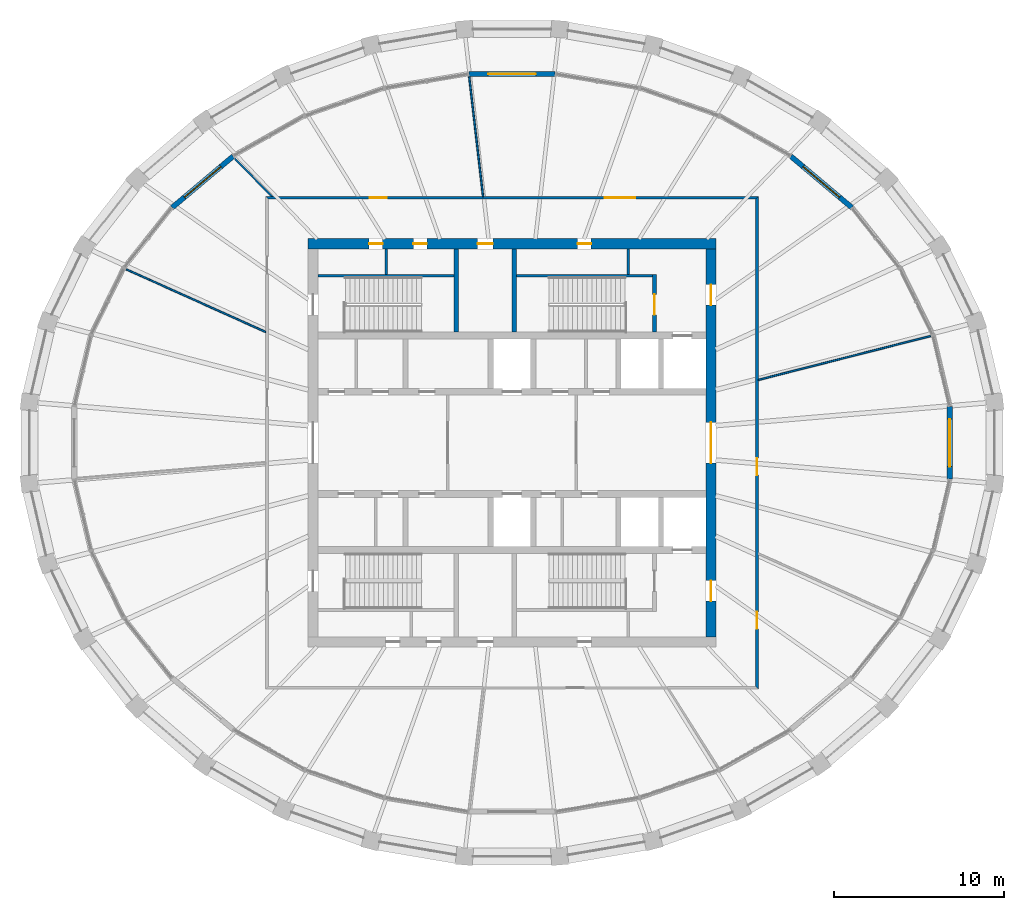
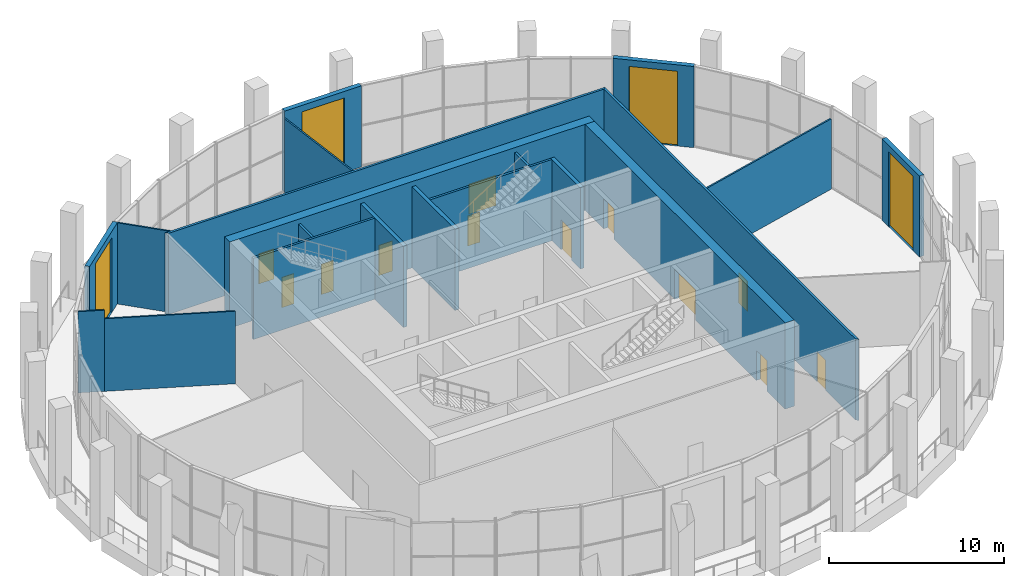
# One storey, part 12 of 15: 20 walls, 16 doors, 16 openings.
"""IFC4 building model written with IfcOpenShell, lengths in metres."""

from ifc_helpers import new_model, si_unit, direction, frame, frame_2d, origin, place, context, subcontext, project, spatial, polyline, rectangle, outline, extrude, material, layer, layer_set, type_object, element, fill, save


model = new_model("IFC4")

# Units and contexts
model_context = context("Model", 3, precision=1e-05, world=origin(), true_north=direction((0.0, 1.0)))
body_context = subcontext(model_context, "Body", "Model", "MODEL_VIEW")
ifc_project = project(units=[si_unit("LENGTHUNIT", "METRE"), si_unit("AREAUNIT", "SQUARE_METRE"), si_unit("VOLUMEUNIT", "CUBIC_METRE"), si_unit("PLANEANGLEUNIT", "RADIAN"), si_unit("MASSUNIT", "GRAM", prefix="KILO")], contexts=[model_context])

# Site, building, storey
site_placement = place(None, origin())
site = spatial("IfcSite", under=ifc_project, at=site_placement, CompositionType="ELEMENT")
building_placement = place(site_placement, origin())
building = spatial("IfcBuilding", under=site, at=building_placement, Name="Halqa Exchange Tower", CompositionType="ELEMENT")
storey_placement = place(building_placement, frame((0.0, 0.0, 343.300048828125)))
storey = spatial("IfcBuildingStorey", under=building, at=storey_placement, Name="L80", CompositionType="ELEMENT", Elevation=343.300048828125)

# Wall, openings, doors
ifc_material_1 = material(Name="Fire-rated gypsum board")
ifc_layer_1 = layer(ifc_material_1, 0.14990234375)
ifc_layer_set_1 = layer_set([ifc_layer_1], Name="Fire-rated gypsum board")
wall_type_1 = type_object("IfcWallType", Name="Fire partition EI 60 150", PredefinedType="PARTITIONING", material=ifc_layer_set_1)
wall_1_placement = place(storey_placement, frame((-14.47509765625, 14.39990234375, 0.0), z_axis=(0.0, 0.0, 1.0), x_axis=(1.0, 0.0, 0.0)))
wall_1 = element("IfcWall", 1, at=wall_1_placement, inside=storey, type_object=wall_type_1, Name="L80-PWL-004", PredefinedType="PARTITIONING", context=body_context, shape_type="SweptSolid", body=[
    extrude(outline(polyline([(0.150146484375, -0.074951171875), (2.06005859375, -0.074951171875), (3.97021484375, -0.074951171875), (5.880126953125, -0.074951171875), (7.7900390625, -0.074951171875), (9.7001953125, -0.074951171875), (11.610107421875, -0.074951171875), (13.52001953125, -0.074951171875), (15.43017578125, -0.074951171875), (17.340087890625, -0.074951171875), (19.25, -0.074951171875), (21.16015625, -0.074951171875), (23.070068359375, -0.074951171875), (24.97998046875, -0.074951171875), (26.89013671875, -0.074951171875), (28.800048828125, -0.074951171875), (28.949951171875, 0.074951171875), (27.02001953125, 0.074951171875), (25.090087890625, 0.074951171875), (23.159912109375, 0.074951171875), (21.22998046875, 0.074951171875), (19.300048828125, 0.074951171875), (17.3701171875, 0.074951171875), (15.440185546875, 0.074951171875), (13.510009765625, 0.074951171875), (11.580078125, 0.074951171875), (9.650146484375, 0.074951171875), (7.72021484375, 0.074951171875), (5.790283203125, 0.074951171875), (3.860107421875, 0.074951171875), (1.93017578125, 0.074951171875), (0.000244140625, 0.074951171875), (0.150146484375, -0.074951171875)])), origin(), (0.0, 0.0, 1.0), 5.64990234375),
])
opening_1_placement = place(wall_1_placement, frame((19.929931640625, 0.0, 0.0)))
opening_1 = element("IfcOpeningElement", 2, at=opening_1_placement, cuts=wall_1, Name="Opening L80-01", PredefinedType="OPENING", context=body_context, shape_type="SweptSolid", body=[
    extrude(rectangle(XDim=1.800048828125, YDim=2.10009765625, at=frame_2d((0.89990234375, 1.050048828125))), frame((0.0, 0.0869140625, 0.0), z_axis=(0.0, -1.0, 0.0), x_axis=(1.0, 0.0, 0.0)), (0.0, 0.0, 1.0), 0.173828125),
])
opening_2_placement = place(wall_1_placement, frame((6.110107421875, 0.0, 0.0)))
opening_2 = element("IfcOpeningElement", 3, at=opening_2_placement, cuts=wall_1, Name="Opening L80-02", PredefinedType="OPENING", context=body_context, shape_type="SweptSolid", body=[
    extrude(rectangle(XDim=1.0, YDim=2.10009765625, at=frame_2d((0.5, 1.050048828125))), frame((0.0, 0.0869140625, 0.0), z_axis=(0.0, -1.0, 0.0), x_axis=(1.0, 0.0, 0.0)), (0.0, 0.0, 1.0), 0.173828125),
])
ifc_material_2 = material(Name="Steel fire door leaf", Category="steel")
door_type_1 = type_object("IfcDoorType", Name="Fire door FD30S 1000 x 2100", OperationType="SINGLE_SWING_LEFT", PredefinedType="DOOR", material=ifc_material_2)
door_1_placement = place(opening_2_placement, origin())
door_1 = element("IfcDoor", 4, at=door_1_placement, inside=storey, type_object=door_type_1, Name="L80-IDR-002", OperationType="SINGLE_SWING_RIGHT", OverallHeight=2.10009765625, OverallWidth=1.0, PredefinedType="DOOR", context=body_context, shape_type="SweptSolid", body=[
    extrude(rectangle(XDim=1.0, YDim=2.10009765625, at=frame_2d((0.5, 1.050048828125))), frame((0.0, 0.02490234375, 0.0), z_axis=(0.0, -1.0, 0.0), x_axis=(1.0, 0.0, 0.0)), (0.0, 0.0, 1.0), 0.050048828125),
])
fill(opening_2, door_1)
door_type_2 = type_object("IfcDoorType", Name="Fire door FD30S double 1800 x 2100", OperationType="DOUBLE_DOOR_SINGLE_SWING", PredefinedType="DOOR", material=ifc_material_2)
door_2_placement = place(opening_1_placement, origin())
door_2 = element("IfcDoor", 5, at=door_2_placement, inside=storey, type_object=door_type_2, Name="L80-IDR-001", OperationType="DOUBLE_DOOR_SINGLE_SWING", OverallHeight=2.10009765625, OverallWidth=1.800048828125, PredefinedType="DOOR", context=body_context, shape_type="SweptSolid", body=[
    extrude(rectangle(XDim=1.800048828125, YDim=2.10009765625, at=frame_2d((0.89990234375, 1.050048828125))), frame((0.0, 0.02490234375, 0.0), z_axis=(0.0, -1.0, 0.0), x_axis=(1.0, 0.0, 0.0)), (0.0, 0.0, 1.0), 0.050048828125),
])
fill(opening_1, door_2)

wall_2_placement = place(storey_placement, frame((14.39990234375, -14.47509765625, 0.0), z_axis=(0.0, 0.0, 1.0), x_axis=(0.0, 1.0, 0.0)))
wall_2 = element("IfcWall", 6, at=wall_2_placement, inside=storey, type_object=wall_type_1, Name="L80-PWL-012", PredefinedType="PARTITIONING", context=body_context, shape_type="SweptSolid", body=[
    extrude(outline(polyline([(0.000244140625, -0.074951171875), (1.93017578125, -0.074951171875), (3.860107421875, -0.074951171875), (5.790283203125, -0.074951171875), (7.72021484375, -0.074951171875), (9.650146484375, -0.074951171875), (11.580078125, -0.074951171875), (13.510009765625, -0.074951171875), (15.440185546875, -0.074951171875), (17.3701171875, -0.074951171875), (19.300048828125, -0.074951171875), (21.22998046875, -0.074951171875), (23.159912109375, -0.074951171875), (25.090087890625, -0.074951171875), (27.02001953125, -0.074951171875), (28.949951171875, -0.074951171875), (28.800048828125, 0.074951171875), (26.89013671875, 0.074951171875), (24.97998046875, 0.074951171875), (23.070068359375, 0.074951171875), (21.16015625, 0.074951171875), (19.25, 0.074951171875), (17.340087890625, 0.074951171875), (15.43017578125, 0.074951171875), (13.52001953125, 0.074951171875), (11.610107421875, 0.074951171875), (9.7001953125, 0.074951171875), (7.7900390625, 0.074951171875), (5.880126953125, 0.074951171875), (3.97021484375, 0.074951171875), (2.06005859375, 0.074951171875), (0.150146484375, 0.074951171875), (0.000244140625, -0.074951171875)])), origin(), (0.0, 0.0, 1.0), 5.64990234375),
])
opening_3_placement = place(wall_2_placement, frame((3.534912109375, 0.0, 0.0)))
opening_3 = element("IfcOpeningElement", 7, at=opening_3_placement, cuts=wall_2, Name="Opening L80-07", PredefinedType="OPENING", context=body_context, shape_type="SweptSolid", body=[
    extrude(rectangle(XDim=1.0, YDim=2.10009765625, at=frame_2d((0.5, 1.050048828125))), frame((0.0, 0.0869140625, 0.0), z_axis=(0.0, -1.0, 0.0), x_axis=(1.0, 0.0, 0.0)), (0.0, 0.0, 1.0), 0.173828125),
])
opening_4_placement = place(wall_2_placement, frame((12.574951171875, 0.0, 0.0)))
opening_4 = element("IfcOpeningElement", 8, at=opening_4_placement, cuts=wall_2, Name="Opening L80-08", PredefinedType="OPENING", context=body_context, shape_type="SweptSolid", body=[
    extrude(rectangle(XDim=1.0, YDim=2.10009765625, at=frame_2d((0.5, 1.050048828125))), frame((0.0, 0.0869140625, 0.0), z_axis=(0.0, -1.0, 0.0), x_axis=(1.0, 0.0, 0.0)), (0.0, 0.0, 1.0), 0.173828125),
])
door_3_placement = place(opening_3_placement, frame((1.0, 0.0, 0.0), z_axis=(0.0, 0.0, 1.0), x_axis=(-1.0, 0.0, 0.0)))
door_3 = element("IfcDoor", 9, at=door_3_placement, inside=storey, type_object=door_type_1, Name="L80-IDR-007", OperationType="SINGLE_SWING_RIGHT", OverallHeight=2.10009765625, OverallWidth=1.0, PredefinedType="DOOR", context=body_context, shape_type="SweptSolid", body=[
    extrude(rectangle(XDim=1.0, YDim=2.10009765625, at=frame_2d((0.5, 1.050048828125))), frame((0.0, 0.02490234375, 0.0), z_axis=(0.0, -1.0, 0.0), x_axis=(1.0, 0.0, 0.0)), (0.0, 0.0, 1.0), 0.050048828125),
])
fill(opening_3, door_3)
door_4_placement = place(opening_4_placement, frame((1.0, 0.0, 0.0), z_axis=(0.0, 0.0, 1.0), x_axis=(-1.0, 0.0, 0.0)))
door_4 = element("IfcDoor", 10, at=door_4_placement, inside=storey, type_object=door_type_1, Name="L80-IDR-008", OperationType="SINGLE_SWING_LEFT", OverallHeight=2.10009765625, OverallWidth=1.0, PredefinedType="DOOR", context=body_context, shape_type="SweptSolid", body=[
    extrude(rectangle(XDim=1.0, YDim=2.10009765625, at=frame_2d((0.5, 1.050048828125))), frame((0.0, 0.02490234375, 0.0), z_axis=(0.0, -1.0, 0.0), x_axis=(1.0, 0.0, 0.0)), (0.0, 0.0, 1.0), 0.050048828125),
])
fill(opening_4, door_4)

# Walls
ifc_material_3 = material(Name="Gypsum board")
ifc_layer_2 = layer(ifc_material_3, 0.10009765625)
ifc_layer_set_2 = layer_set([ifc_layer_2], Name="Gypsum board")
wall_type_2 = type_object("IfcWallType", Name="Partition 100 gypsum", PredefinedType="PARTITIONING", material=ifc_layer_set_2)
wall_3_placement = place(storey_placement, frame((-14.45458984375, 6.504638671875, 0.0), z_axis=(0.0, 0.0, 1.0), x_axis=(-0.912053465354, 0.410071306403, 0.0)))
element("IfcWall", 11, at=wall_3_placement, inside=storey, type_object=wall_type_2, Name="L80-PWL-003", PredefinedType="PARTITIONING", context=body_context, shape_type="SweptSolid", body=[
    extrude(outline(polyline([(0.0, 0.050048828125), (0.0, 0.0498046875), (0.044921875, -0.050048828125), (1.910888671875, -0.050048828125), (3.777099609375, -0.050048828125), (5.64306640625, -0.050048828125), (7.50927734375, -0.050048828125), (7.50927734375, 0.050048828125), (5.6318359375, 0.050048828125), (3.754638671875, 0.050048828125), (1.87744140625, 0.050048828125), (0.0, 0.050048828125)])), origin(), (0.0, 0.0, 1.0), 5.050048828125),
])
wall_4_placement = place(storey_placement, frame((-14.07958984375, 14.4404296875, 0.0), z_axis=(0.0, 0.0, 1.0), x_axis=(-0.698582739951, 0.715529283428, 0.0)))
element("IfcWall", 12, at=wall_4_placement, inside=storey, type_object=wall_type_2, Name="L80-PWL-005", PredefinedType="PARTITIONING", context=body_context, shape_type="SweptSolid", body=[
    extrude(outline(polyline([(3.16943359375, 0.050048828125), (1.63330078125, 0.050048828125), (0.09716796875, 0.050048828125), (0.0, -0.049560546875), (0.0, -0.050048828125), (1.584716796875, -0.050048828125), (3.16943359375, -0.050048828125), (3.16943359375, 0.050048828125)])), origin(), (0.0, 0.0, 1.0), 5.64990234375),
])
wall_5_placement = place(storey_placement, frame((-1.697998046875, 14.469482421875, 0.0), z_axis=(0.0, 0.0, 1.0), x_axis=(-0.11512134749, 0.993351435974, 0.0)))
element("IfcWall", 13, at=wall_5_placement, inside=storey, type_object=wall_type_2, Name="L80-PWL-008", PredefinedType="PARTITIONING", context=body_context, shape_type="SweptSolid", body=[
    extrude(outline(polyline([(0.0, -0.050048828125), (1.774169921875, -0.050048828125), (3.54833984375, -0.050048828125), (5.322265625, -0.050048828125), (7.096435546875, -0.050048828125), (7.10009765625, -0.0185546875), (7.10009765625, 0.050048828125), (5.327880859375, 0.050048828125), (3.5556640625, 0.050048828125), (1.783447265625, 0.050048828125), (0.011474609375, 0.050048828125), (0.0, -0.0478515625), (0.0, -0.050048828125)])), origin(), (0.0, 0.0, 1.0), 5.14990234375),
])
wall_6_placement = place(storey_placement, frame((24.59326171875, 6.2744140625, 0.0), z_axis=(0.0, 0.0, 1.0), x_axis=(-0.969103365917, -0.246654953667, 0.0)))
element("IfcWall", 14, at=wall_6_placement, inside=storey, type_object=wall_type_2, Name="L80-PWL-014", PredefinedType="PARTITIONING", context=body_context, shape_type="SweptSolid", body=[
    extrude(outline(polyline([(0.008544921875, -0.050048828125), (1.7451171875, -0.050048828125), (3.481689453125, -0.050048828125), (5.21826171875, -0.050048828125), (6.954833984375, -0.050048828125), (8.69140625, -0.050048828125), (10.42822265625, -0.050048828125), (10.453369140625, 0.049072265625), (10.453369140625, 0.050048828125), (8.711181640625, 0.050048828125), (6.968994140625, 0.050048828125), (5.2265625, 0.050048828125), (3.484375, 0.050048828125), (1.7421875, 0.050048828125), (0.0, 0.050048828125), (0.0, -0.00927734375), (0.008544921875, -0.050048828125)])), origin(), (0.0, 0.0, 1.0), 4.89697265625),
])
wall_7_placement = place(storey_placement, frame((-21.303466796875, 9.583984375, 0.0), z_axis=(0.0, 0.0, 1.0), x_axis=(-0.911976522447, 0.410242394816, 0.0)))
element("IfcWall", 15, at=wall_7_placement, inside=storey, type_object=wall_type_2, Name="L80-PWL-015", PredefinedType="PARTITIONING", context=body_context, shape_type="SweptSolid", body=[
    extrude(outline(polyline([(0.0, -0.050048828125), (1.480224609375, -0.050048828125), (1.492919921875, 0.000732421875), (1.494384765625, 0.040771484375), (1.494384765625, 0.050048828125), (0.0, 0.050048828125), (0.0, -0.050048828125)])), origin(), (0.0, 0.0, 1.0), 5.64990234375),
])
ifc_layer_3 = layer(ifc_material_3, 0.14990234375)
ifc_layer_set_3 = layer_set([ifc_layer_3], Name="Gypsum board")
wall_type_3 = type_object("IfcWallType", Name="Penthouse riser wall 150 gypsum", PredefinedType="PARTITIONING", material=ifc_layer_set_3)
for number, where, z_axis, x_axis, name in (
    (16, (-7.39990234375, 9.89990234375, 0.0), (0.0, 0.0, 1.0), (0.0, 1.0, 0.0), "Partition W7.400 N"),
    (17, (6.824951171875, 9.89990234375, 0.0), (0.0, 0.0, 1.0), (0.0, 1.0, 0.0), "Firefighting lobby west wall N"),
):
    element("IfcWall", number, at=place(storey_placement, frame(where, z_axis=z_axis, x_axis=x_axis)), inside=storey, type_object=wall_type_3, Name=name, PredefinedType="PARTITIONING", context=body_context, shape_type="SweptSolid", body=[
        extrude(rectangle(XDim=1.5, YDim=0.14990234375, at=frame_2d((0.75, 0.0))), origin(), (0.0, 0.0, 1.0), 5.64990234375),
    ])

# Wall, openings, doors
ifc_material_4 = material(Name="Concrete C60/75", Category="concrete")
ifc_layer_4 = layer(ifc_material_4, 0.60009765625)
ifc_layer_set_4 = layer_set([ifc_layer_4], Name="Concrete C60/75")
wall_type_4 = type_object("IfcWallType", Name="RC core wall 600 C60/75", PredefinedType="SHEAR", material=ifc_layer_set_4)
wall_8_placement = place(storey_placement, frame((-12.0, 11.699951171875, 0.0), z_axis=(0.0, 0.0, 1.0), x_axis=(1.0, 0.0, 0.0)))
wall_8 = element("IfcWall", 18, at=wall_8_placement, inside=storey, type_object=wall_type_4, Name="Core wall north", PredefinedType="SHEAR", context=body_context, shape_type="SweptSolid", body=[
    extrude(rectangle(XDim=24.0, YDim=0.60009765625, at=frame_2d((12.0, 0.0))), origin(), (0.0, 0.0, 1.0), 6.0),
])
opening_5_placement = place(wall_8_placement, frame((9.97509765625, 0.0, 0.0)))
opening_5 = element("IfcOpeningElement", 19, at=opening_5_placement, cuts=wall_8, Name="Opening L80-C15", PredefinedType="OPENING", context=body_context, shape_type="SweptSolid", body=[
    extrude(rectangle(XDim=0.89990234375, YDim=2.10009765625, at=frame_2d((0.449951171875, 1.050048828125))), frame((0.0, 0.31201171875, 0.0), z_axis=(0.0, -1.0, 0.0), x_axis=(1.0, 0.0, 0.0)), (0.0, 0.0, 1.0), 0.6240234375),
])
opening_6_placement = place(wall_8_placement, frame((3.60009765625, 0.0, 0.0)))
opening_6 = element("IfcOpeningElement", 20, at=opening_6_placement, cuts=wall_8, Name="Opening L80-C16", PredefinedType="OPENING", context=body_context, shape_type="SweptSolid", body=[
    extrude(rectangle(XDim=0.800048828125, YDim=2.10009765625, at=frame_2d((0.39990234375, 1.050048828125))), frame((0.0, 0.31201171875, 0.0), z_axis=(0.0, -1.0, 0.0), x_axis=(1.0, 0.0, 0.0)), (0.0, 0.0, 1.0), 0.6240234375),
])
opening_7_placement = place(wall_8_placement, frame((6.199951171875, 0.0, 0.0)))
opening_7 = element("IfcOpeningElement", 21, at=opening_7_placement, cuts=wall_8, Name="Opening L80-C17", PredefinedType="OPENING", context=body_context, shape_type="SweptSolid", body=[
    extrude(rectangle(XDim=0.800048828125, YDim=2.10009765625, at=frame_2d((0.39990234375, 1.050048828125))), frame((0.0, 0.31201171875, 0.0), z_axis=(0.0, -1.0, 0.0), x_axis=(1.0, 0.0, 0.0)), (0.0, 0.0, 1.0), 0.6240234375),
])
opening_8_placement = place(wall_8_placement, frame((15.85009765625, 0.0, 0.0)))
opening_8 = element("IfcOpeningElement", 22, at=opening_8_placement, cuts=wall_8, Name="Opening L80-C18", PredefinedType="OPENING", context=body_context, shape_type="SweptSolid", body=[
    extrude(rectangle(XDim=0.800048828125, YDim=2.10009765625, at=frame_2d((0.39990234375, 1.050048828125))), frame((0.0, 0.31201171875, 0.0), z_axis=(0.0, -1.0, 0.0), x_axis=(1.0, 0.0, 0.0)), (0.0, 0.0, 1.0), 0.6240234375),
])
ifc_material_5 = material(Name="Timber fire door leaf", Category="wood")
door_type_3 = type_object("IfcDoorType", Name="Core room door FD30 900 x 2100", OperationType="SINGLE_SWING_LEFT", PredefinedType="DOOR", material=ifc_material_5)
door_5_placement = place(opening_5_placement, frame((0.89990234375, 0.0, 0.0), z_axis=(0.0, 0.0, 1.0), x_axis=(-1.0, 0.0, 0.0)))
door_5 = element("IfcDoor", 23, at=door_5_placement, inside=storey, type_object=door_type_3, Name="Core room door", OperationType="SINGLE_SWING_LEFT", OverallHeight=2.10009765625, OverallWidth=0.89990234375, PredefinedType="DOOR", context=body_context, shape_type="SweptSolid", body=[
    extrude(rectangle(XDim=0.89990234375, YDim=2.10009765625, at=frame_2d((0.449951171875, 1.050048828125))), frame((0.0, 0.02490234375, 0.0), z_axis=(0.0, -1.0, 0.0), x_axis=(1.0, 0.0, 0.0)), (0.0, 0.0, 1.0), 0.050048828125),
])
fill(opening_5, door_5)
door_type_4 = type_object("IfcDoorType", Name="Riser door FD60 800 x 2100", OperationType="SINGLE_SWING_LEFT", PredefinedType="DOOR", material=ifc_material_2)
door_6_placement = place(opening_6_placement, frame((0.800048828125, 0.0, 0.0), z_axis=(0.0, 0.0, 1.0), x_axis=(-1.0, 0.0, 0.0)))
door_6 = element("IfcDoor", 24, at=door_6_placement, inside=storey, type_object=door_type_4, Name="Core room door", OperationType="SINGLE_SWING_RIGHT", OverallHeight=2.10009765625, OverallWidth=0.800048828125, PredefinedType="DOOR", context=body_context, shape_type="SweptSolid", body=[
    extrude(rectangle(XDim=0.800048828125, YDim=2.10009765625, at=frame_2d((0.39990234375, 1.050048828125))), frame((0.0, 0.02490234375, 0.0), z_axis=(0.0, -1.0, 0.0), x_axis=(1.0, 0.0, 0.0)), (0.0, 0.0, 1.0), 0.050048828125),
])
fill(opening_6, door_6)
door_7_placement = place(opening_7_placement, frame((0.800048828125, 0.0, 0.0), z_axis=(0.0, 0.0, 1.0), x_axis=(-1.0, 0.0, 0.0)))
door_7 = element("IfcDoor", 25, at=door_7_placement, inside=storey, type_object=door_type_4, Name="Core room door", OperationType="SINGLE_SWING_LEFT", OverallHeight=2.10009765625, OverallWidth=0.800048828125, PredefinedType="DOOR", context=body_context, shape_type="SweptSolid", body=[
    extrude(rectangle(XDim=0.800048828125, YDim=2.10009765625, at=frame_2d((0.39990234375, 1.050048828125))), frame((0.0, 0.02490234375, 0.0), z_axis=(0.0, -1.0, 0.0), x_axis=(1.0, 0.0, 0.0)), (0.0, 0.0, 1.0), 0.050048828125),
])
fill(opening_7, door_7)
door_8_placement = place(opening_8_placement, frame((0.800048828125, 0.0, 0.0), z_axis=(0.0, 0.0, 1.0), x_axis=(-1.0, 0.0, 0.0)))
door_8 = element("IfcDoor", 26, at=door_8_placement, inside=storey, type_object=door_type_4, Name="Core room door", OperationType="SINGLE_SWING_RIGHT", OverallHeight=2.10009765625, OverallWidth=0.800048828125, PredefinedType="DOOR", context=body_context, shape_type="SweptSolid", body=[
    extrude(rectangle(XDim=0.800048828125, YDim=2.10009765625, at=frame_2d((0.39990234375, 1.050048828125))), frame((0.0, 0.02490234375, 0.0), z_axis=(0.0, -1.0, 0.0), x_axis=(1.0, 0.0, 0.0)), (0.0, 0.0, 1.0), 0.050048828125),
])
fill(opening_8, door_8)

wall_9_placement = place(storey_placement, frame((11.699951171875, -11.39990234375, 0.0), z_axis=(0.0, 0.0, 1.0), x_axis=(0.0, 1.0, 0.0)))
wall_9 = element("IfcWall", 27, at=wall_9_placement, inside=storey, type_object=wall_type_4, Name="Core wall east", PredefinedType="SHEAR", context=body_context, shape_type="SweptSolid", body=[
    extrude(rectangle(XDim=22.7998046875, YDim=0.60009765625, at=frame_2d((11.39990234375, 0.0))), origin(), (0.0, 0.0, 1.0), 6.0),
])
opening_9_placement = place(wall_9_placement, frame((10.199951171875, 0.0, 0.0)))
opening_9 = element("IfcOpeningElement", 28, at=opening_9_placement, cuts=wall_9, Name="Opening L80-C06", PredefinedType="OPENING", context=body_context, shape_type="SweptSolid", body=[
    extrude(rectangle(XDim=2.39990234375, YDim=2.10009765625, at=frame_2d((1.199951171875, 1.050048828125))), frame((0.0, 0.31201171875, 0.0), z_axis=(0.0, -1.0, 0.0), x_axis=(1.0, 0.0, 0.0)), (0.0, 0.0, 1.0), 0.6240234375),
])
opening_10_placement = place(wall_9_placement, frame((19.5, 0.0, 0.0)))
opening_10 = element("IfcOpeningElement", 29, at=opening_10_placement, cuts=wall_9, Name="Opening L80-C13", PredefinedType="OPENING", context=body_context, shape_type="SweptSolid", body=[
    extrude(rectangle(XDim=1.199951171875, YDim=2.10009765625, at=frame_2d((0.60009765625, 1.050048828125))), frame((0.0, 0.31201171875, 0.0), z_axis=(0.0, -1.0, 0.0), x_axis=(1.0, 0.0, 0.0)), (0.0, 0.0, 1.0), 0.6240234375),
])
opening_11_placement = place(wall_9_placement, frame((2.10009765625, 0.0, 0.0)))
opening_11 = element("IfcOpeningElement", 30, at=opening_11_placement, cuts=wall_9, Name="Opening L80-C14", PredefinedType="OPENING", context=body_context, shape_type="SweptSolid", body=[
    extrude(rectangle(XDim=1.199951171875, YDim=2.10009765625, at=frame_2d((0.60009765625, 1.050048828125))), frame((0.0, 0.31201171875, 0.0), z_axis=(0.0, -1.0, 0.0), x_axis=(1.0, 0.0, 0.0)), (0.0, 0.0, 1.0), 0.6240234375),
])
door_type_5 = type_object("IfcDoorType", Name="Firefighting lobby door FD90 1200 x 2100", OperationType="SINGLE_SWING_RIGHT", PredefinedType="DOOR", material=ifc_material_2)
door_9_placement = place(opening_10_placement, origin())
door_9 = element("IfcDoor", 31, at=door_9_placement, inside=storey, type_object=door_type_5, Name="Firefighting lobby door", OperationType="SINGLE_SWING_RIGHT", OverallHeight=2.10009765625, OverallWidth=1.199951171875, PredefinedType="DOOR", context=body_context, shape_type="SweptSolid", body=[
    extrude(rectangle(XDim=1.199951171875, YDim=2.10009765625, at=frame_2d((0.60009765625, 1.050048828125))), frame((0.0, 0.02490234375, 0.0), z_axis=(0.0, -1.0, 0.0), x_axis=(1.0, 0.0, 0.0)), (0.0, 0.0, 1.0), 0.050048828125),
])
fill(opening_10, door_9)
door_10_placement = place(opening_11_placement, origin())
door_10 = element("IfcDoor", 32, at=door_10_placement, inside=storey, type_object=door_type_5, Name="Firefighting lobby door", OperationType="SINGLE_SWING_LEFT", OverallHeight=2.10009765625, OverallWidth=1.199951171875, PredefinedType="DOOR", context=body_context, shape_type="SweptSolid", body=[
    extrude(rectangle(XDim=1.199951171875, YDim=2.10009765625, at=frame_2d((0.60009765625, 1.050048828125))), frame((0.0, 0.02490234375, 0.0), z_axis=(0.0, -1.0, 0.0), x_axis=(1.0, 0.0, 0.0)), (0.0, 0.0, 1.0), 0.050048828125),
])
fill(opening_11, door_10)
door_type_6 = type_object("IfcDoorType", Name="Lobby double door FD60 2400 x 2100", OperationType="DOUBLE_DOOR_SINGLE_SWING", PredefinedType="DOOR", material=ifc_material_2)
door_11_placement = place(opening_9_placement, origin())
door_11 = element("IfcDoor", 33, at=door_11_placement, inside=storey, type_object=door_type_6, Name="Lift lobby double door", OperationType="DOUBLE_DOOR_SINGLE_SWING", OverallHeight=2.10009765625, OverallWidth=2.39990234375, PredefinedType="DOOR", context=body_context, shape_type="SweptSolid", body=[
    extrude(rectangle(XDim=2.39990234375, YDim=2.10009765625, at=frame_2d((1.199951171875, 1.050048828125))), frame((0.0, 0.02490234375, 0.0), z_axis=(0.0, -1.0, 0.0), x_axis=(1.0, 0.0, 0.0)), (0.0, 0.0, 1.0), 0.050048828125),
])
fill(opening_9, door_11)

# Walls
ifc_material_6 = material(Name="Concrete C30/37", Category="concrete")
ifc_layer_5 = layer(ifc_material_6, 0.14990234375)
ifc_layer_set_5 = layer_set([ifc_layer_5], Name="Concrete C30/37")
wall_type_5 = type_object("IfcWallType", Name="RC stair wall 150 C30/37", PredefinedType="SHEAR", material=ifc_layer_set_5)
for number, where, z_axis, x_axis, name in (
    (34, (-11.39990234375, 9.824951171875, 0.0), (0.0, 0.0, 1.0), (1.0, 0.0, 0.0), "Stair ST1 north wall N"),
    (35, (0.25, 9.824951171875, 0.0), (0.0, 0.0, 1.0), (1.0, 0.0, 0.0), "Stair ST2 north wall N"),
):
    element("IfcWall", number, at=place(storey_placement, frame(where, z_axis=z_axis, x_axis=x_axis)), inside=storey, type_object=wall_type_5, Name=name, PredefinedType="SHEAR", context=body_context, shape_type="SweptSolid", body=[
        extrude(rectangle(XDim=8.0, YDim=0.14990234375, at=frame_2d((4.0, 0.0))), origin(), (0.0, 0.0, 1.0), 5.64990234375),
    ])
ifc_layer_6 = layer(ifc_material_6, 0.25)
ifc_layer_set_6 = layer_set([ifc_layer_6], Name="Concrete C30/37")
wall_type_6 = type_object("IfcWallType", Name="RC stair wall 250 C30/37", PredefinedType="SHEAR", material=ifc_layer_set_6)
for number, where, z_axis, x_axis, name in (
    (36, (-3.27490234375, 6.5, 0.0), (0.0, 0.0, 1.0), (0.0, 1.0, 0.0), "Stair ST1 east wall N"),
    (37, (0.125, 6.5, 0.0), (0.0, 0.0, 1.0), (0.0, 1.0, 0.0), "Stair ST2 west wall N"),
):
    element("IfcWall", number, at=place(storey_placement, frame(where, z_axis=z_axis, x_axis=x_axis)), inside=storey, type_object=wall_type_6, Name=name, PredefinedType="SHEAR", context=body_context, shape_type="SweptSolid", body=[
        extrude(rectangle(XDim=4.89990234375, YDim=0.25, at=frame_2d((2.449951171875, 0.0))), origin(), (0.0, 0.0, 1.0), 5.64990234375),
    ])

# Wall, opening, door
wall_10_placement = place(storey_placement, frame((8.375, 6.5, 0.0), z_axis=(0.0, 0.0, 1.0), x_axis=(0.0, 1.0, 0.0)))
wall_10 = element("IfcWall", 38, at=wall_10_placement, inside=storey, type_object=wall_type_6, Name="Stair ST2 east wall N", PredefinedType="SHEAR", context=body_context, shape_type="SweptSolid", body=[
    extrude(rectangle(XDim=3.39990234375, YDim=0.25, at=frame_2d((1.699951171875, 0.0))), origin(), (0.0, 0.0, 1.0), 5.64990234375),
])
opening_12_placement = place(wall_10_placement, frame((1.02490234375, 0.0, 0.0)))
opening_12 = element("IfcOpeningElement", 39, at=opening_12_placement, cuts=wall_10, Name="Opening L80-C10", PredefinedType="OPENING", context=body_context, shape_type="SweptSolid", body=[
    extrude(rectangle(XDim=1.199951171875, YDim=2.10009765625, at=frame_2d((0.60009765625, 1.050048828125))), frame((0.0, 0.136962890625, 0.0), z_axis=(0.0, -1.0, 0.0), x_axis=(1.0, 0.0, 0.0)), (0.0, 0.0, 1.0), 0.27392578125),
])
door_type_7 = type_object("IfcDoorType", Name="Stair door FD90 1200 x 2100", OperationType="SINGLE_SWING_LEFT", PredefinedType="DOOR", material=ifc_material_2)
door_12_placement = place(opening_12_placement, origin())
door_12 = element("IfcDoor", 40, at=door_12_placement, inside=storey, type_object=door_type_7, Name="Stair door ST2", OperationType="SINGLE_SWING_LEFT", OverallHeight=2.10009765625, OverallWidth=1.199951171875, PredefinedType="DOOR", context=body_context, shape_type="SweptSolid", body=[
    extrude(rectangle(XDim=1.199951171875, YDim=2.10009765625, at=frame_2d((0.60009765625, 1.050048828125))), frame((0.0, 0.02490234375, 0.0), z_axis=(0.0, -1.0, 0.0), x_axis=(1.0, 0.0, 0.0)), (0.0, 0.0, 1.0), 0.050048828125),
])
fill(opening_12, door_12)

ifc_material_7 = material(Name="Limestone cladding", Category="masonry")
ifc_layer_7 = layer(ifc_material_7, 0.0400390625)
ifc_material_8 = material(Name="Ventilated cavity")
ifc_layer_8 = layer(ifc_material_8, 0.030029296875, ventilated=True)
ifc_material_9 = material(Name="Mineral wool insulation")
ifc_layer_9 = layer(ifc_material_9, 0.10009765625)
ifc_layer_10 = layer(ifc_material_6, 0.10009765625)
ifc_material_10 = material(Name="Internal plaster")
ifc_layer_11 = layer(ifc_material_10, 0.030029296875)
ifc_layer_set_7 = layer_set([ifc_layer_7, ifc_layer_8, ifc_layer_9, ifc_layer_10, ifc_layer_11], Name="Stone-faced insulated wall 300")
wall_type_7 = type_object("IfcWallType", Name="Stone-faced insulated wall 300", PredefinedType="STANDARD", material=ifc_layer_set_7)
wall_11_placement = place(storey_placement, frame((19.974609375, 13.826171875, 0.0), z_axis=(0.0, 0.0, 1.0), x_axis=(-0.765128700347, 0.643877373344, 0.0)))
wall_11 = element("IfcWall", 41, at=wall_11_placement, inside=storey, type_object=wall_type_7, Name="Glass-line wall 4", PredefinedType="STANDARD", context=body_context, shape_type="SweptSolid", body=[
    extrude(outline(polyline([(0.0, -0.14990234375), (4.685546875, -0.14990234375), (4.685546875, 0.14990234375), (0.0, 0.14990234375), (0.0, -0.14990234375)])), origin(), (0.0, 0.0, 1.0), 5.64990234375),
])
opening_13_placement = place(wall_11_placement, frame((0.942626953125, 0.0, 0.0)))
opening_13 = element("IfcOpeningElement", 42, at=opening_13_placement, cuts=wall_11, Name="Opening LGO-F4-01", PredefinedType="OPENING", context=body_context, shape_type="SweptSolid", body=[
    extrude(rectangle(XDim=2.800048828125, YDim=5.199951171875, at=frame_2d((1.39990234375, 2.60009765625))), frame((0.0, 0.162109375, 0.0), z_axis=(0.0, -1.0, 0.0), x_axis=(1.0, 0.0, 0.0)), (0.0, 0.0, 1.0), 0.323974609375),
])
ifc_material_11 = material(Name="Clear low-emissivity glass in aluminium frame", Category="aluminium")
door_type_8 = type_object("IfcDoorType", Name="Glazed sliding balcony door 2800 x 5200", OperationType="DOUBLE_DOOR_SLIDING", PredefinedType="DOOR", material=ifc_material_11)
door_13_placement = place(opening_13_placement, origin())
door_13 = element("IfcDoor", 43, at=door_13_placement, inside=storey, type_object=door_type_8, Name="Loggia door 1", OperationType="DOUBLE_DOOR_SLIDING", OverallHeight=5.199951171875, OverallWidth=2.800048828125, PredefinedType="DOOR", context=body_context, shape_type="SweptSolid", body=[
    extrude(rectangle(XDim=2.800048828125, YDim=5.199951171875, at=frame_2d((1.39990234375, 2.60009765625))), frame((0.0, 0.02490234375, 0.0), z_axis=(0.0, -1.0, 0.0), x_axis=(1.0, 0.0, 0.0)), (0.0, 0.0, 1.0), 0.050048828125),
])
fill(opening_13, door_13)

wall_12_placement = place(storey_placement, frame((2.531494140625, 21.674560546875, 0.0), z_axis=(0.0, 0.0, 1.0), x_axis=(-1.0, 0.0, 0.0)))
wall_12 = element("IfcWall", 44, at=wall_12_placement, inside=storey, type_object=wall_type_7, Name="Glass-line wall 8", PredefinedType="STANDARD", context=body_context, shape_type="SweptSolid", body=[
    extrude(outline(polyline([(0.0, -0.14990234375), (5.06298828125, -0.14990234375), (5.06298828125, 0.14990234375), (0.0, 0.14990234375), (0.0, -0.14990234375)])), origin(), (0.0, 0.0, 1.0), 5.64990234375),
])
opening_14_placement = place(wall_12_placement, frame((1.131591796875, 0.0, 0.0)))
opening_14 = element("IfcOpeningElement", 45, at=opening_14_placement, cuts=wall_12, Name="Opening LGO-F4-02", PredefinedType="OPENING", context=body_context, shape_type="SweptSolid", body=[
    extrude(rectangle(XDim=2.800048828125, YDim=5.199951171875, at=frame_2d((1.39990234375, 2.60009765625))), frame((0.0, 0.162109375, 0.0), z_axis=(0.0, -1.0, 0.0), x_axis=(1.0, 0.0, 0.0)), (0.0, 0.0, 1.0), 0.323974609375),
])
door_14_placement = place(opening_14_placement, origin())
door_14 = element("IfcDoor", 46, at=door_14_placement, inside=storey, type_object=door_type_8, Name="Loggia door 2", OperationType="DOUBLE_DOOR_SLIDING", OverallHeight=5.199951171875, OverallWidth=2.800048828125, PredefinedType="DOOR", context=body_context, shape_type="SweptSolid", body=[
    extrude(rectangle(XDim=2.800048828125, YDim=5.199951171875, at=frame_2d((1.39990234375, 2.60009765625))), frame((0.0, 0.02490234375, 0.0), z_axis=(0.0, -1.0, 0.0), x_axis=(1.0, 0.0, 0.0)), (0.0, 0.0, 1.0), 0.050048828125),
])
fill(opening_14, door_14)

wall_13_placement = place(storey_placement, frame((-16.3896484375, 16.843017578125, 0.0), z_axis=(0.0, 0.0, 1.0), x_axis=(-0.765128700347, -0.643877373344, 0.0)))
wall_13 = element("IfcWall", 47, at=wall_13_placement, inside=storey, type_object=wall_type_7, Name="Glass-line wall 12", PredefinedType="STANDARD", context=body_context, shape_type="SweptSolid", body=[
    extrude(outline(polyline([(0.0, -0.14990234375), (4.685546875, -0.14990234375), (4.685546875, 0.14990234375), (0.0, 0.14990234375), (0.0, -0.14990234375)])), origin(), (0.0, 0.0, 1.0), 5.64990234375),
])
opening_15_placement = place(wall_13_placement, frame((0.942626953125, 0.0, 0.0)))
opening_15 = element("IfcOpeningElement", 48, at=opening_15_placement, cuts=wall_13, Name="Opening LGO-F4-03", PredefinedType="OPENING", context=body_context, shape_type="SweptSolid", body=[
    extrude(rectangle(XDim=2.800048828125, YDim=5.199951171875, at=frame_2d((1.39990234375, 2.60009765625))), frame((0.0, 0.162109375, 0.0), z_axis=(0.0, -1.0, 0.0), x_axis=(1.0, 0.0, 0.0)), (0.0, 0.0, 1.0), 0.323974609375),
])
door_15_placement = place(opening_15_placement, origin())
door_15 = element("IfcDoor", 49, at=door_15_placement, inside=storey, type_object=door_type_8, Name="Loggia door 3", OperationType="DOUBLE_DOOR_SLIDING", OverallHeight=5.199951171875, OverallWidth=2.800048828125, PredefinedType="DOOR", context=body_context, shape_type="SweptSolid", body=[
    extrude(rectangle(XDim=2.800048828125, YDim=5.199951171875, at=frame_2d((1.39990234375, 2.60009765625))), frame((0.0, 0.02490234375, 0.0), z_axis=(0.0, -1.0, 0.0), x_axis=(1.0, 0.0, 0.0)), (0.0, 0.0, 1.0), 0.050048828125),
])
fill(opening_15, door_15)

wall_14_placement = place(storey_placement, frame((25.726318359375, -2.137451171875, 0.0), z_axis=(0.0, 0.0, 1.0), x_axis=(0.0, 1.0, 0.0)))
wall_14 = element("IfcWall", 50, at=wall_14_placement, inside=storey, type_object=wall_type_7, Name="Glass-line wall 32", PredefinedType="STANDARD", context=body_context, shape_type="SweptSolid", body=[
    extrude(outline(polyline([(0.0, -0.14990234375), (4.27490234375, -0.14990234375), (4.27490234375, 0.14990234375), (0.0, 0.14990234375), (0.0, -0.14990234375)])), origin(), (0.0, 0.0, 1.0), 5.64990234375),
])
opening_16_placement = place(wall_14_placement, frame((0.737548828125, 0.0, 0.0)))
opening_16 = element("IfcOpeningElement", 51, at=opening_16_placement, cuts=wall_14, Name="Opening LGO-F4-08", PredefinedType="OPENING", context=body_context, shape_type="SweptSolid", body=[
    extrude(rectangle(XDim=2.800048828125, YDim=5.199951171875, at=frame_2d((1.39990234375, 2.60009765625))), frame((0.0, 0.162109375, 0.0), z_axis=(0.0, -1.0, 0.0), x_axis=(1.0, 0.0, 0.0)), (0.0, 0.0, 1.0), 0.323974609375),
])
door_16_placement = place(opening_16_placement, origin())
door_16 = element("IfcDoor", 52, at=door_16_placement, inside=storey, type_object=door_type_8, Name="Loggia door 8", OperationType="DOUBLE_DOOR_SLIDING", OverallHeight=5.199951171875, OverallWidth=2.800048828125, PredefinedType="DOOR", context=body_context, shape_type="SweptSolid", body=[
    extrude(rectangle(XDim=2.800048828125, YDim=5.199951171875, at=frame_2d((1.39990234375, 2.60009765625))), frame((0.0, 0.02490234375, 0.0), z_axis=(0.0, -1.0, 0.0), x_axis=(1.0, 0.0, 0.0)), (0.0, 0.0, 1.0), 0.050048828125),
])
fill(opening_16, door_16)

save(model, "model.ifc")
